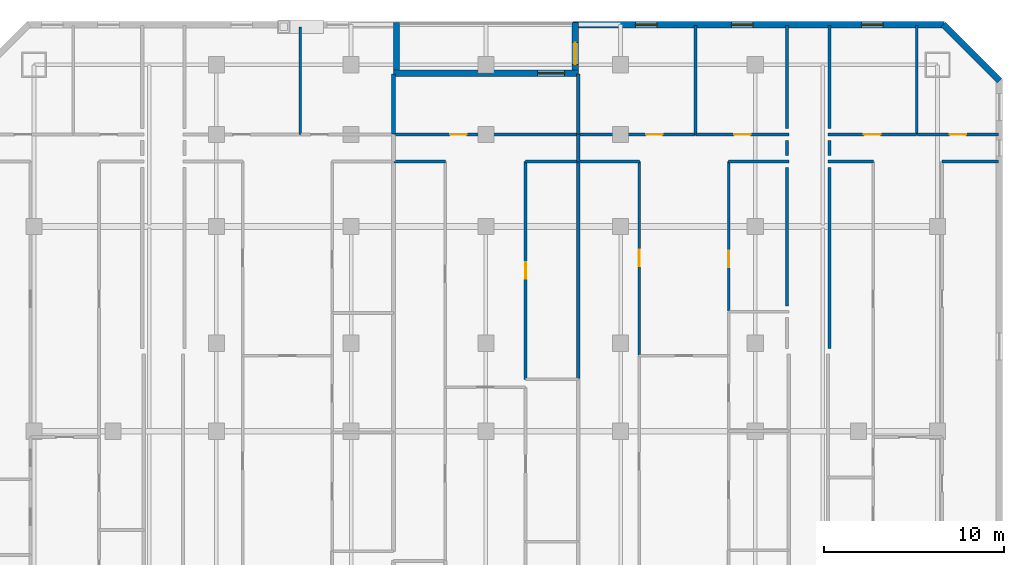
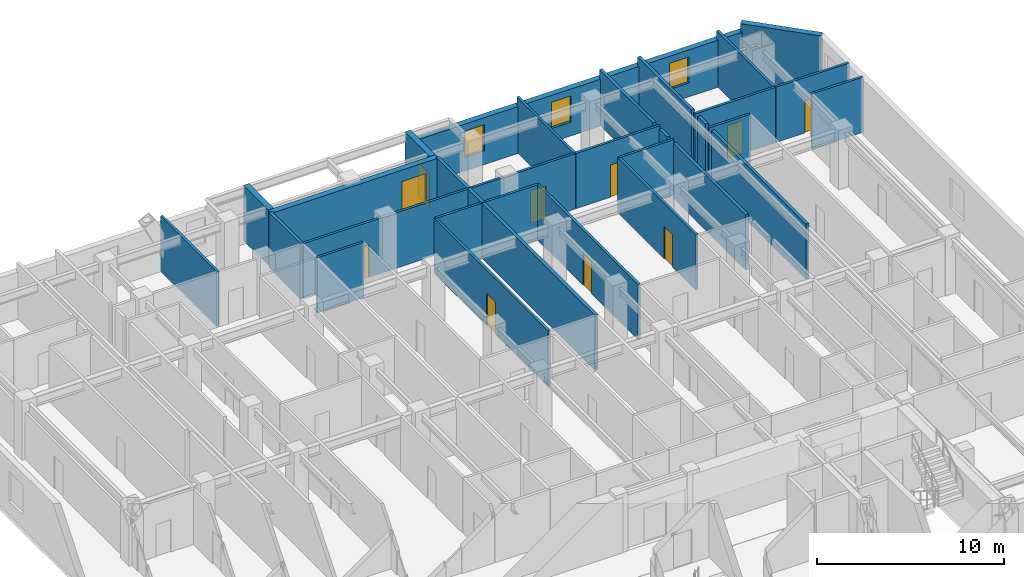
# One storey, part 8 of 10: 32 walls, 9 doors, 4 windows, 13 openings.
"""IFC4 building model written with IfcOpenShell, lengths in metres."""

from ifc_helpers import new_model, si_unit, direction, frame, frame_2d, origin, place, context, subcontext, project, spatial, rectangle, extrude, material, layer, layer_set, type_object, element, fill, save


model = new_model("IFC4")

# Units and contexts
model_context = context("Model", 3, precision=1e-05, world=origin(), true_north=direction((0.0, 1.0)))
body_context = subcontext(model_context, "Body", "Model", "MODEL_VIEW")
ifc_project = project(units=[si_unit("LENGTHUNIT", "METRE"), si_unit("AREAUNIT", "SQUARE_METRE"), si_unit("VOLUMEUNIT", "CUBIC_METRE"), si_unit("PLANEANGLEUNIT", "RADIAN"), si_unit("MASSUNIT", "GRAM", prefix="KILO")], contexts=[model_context])

# Site, building, storey
site_placement = place(None, origin())
site = spatial("IfcSite", under=ifc_project, at=site_placement, CompositionType="ELEMENT")
building_placement = place(site_placement, origin())
building = spatial("IfcBuilding", under=site, at=building_placement, Name="Ventersveld Concourse Tower", CompositionType="ELEMENT")
storey_placement = place(building_placement, frame((0.0, 0.0, 49.050048828125)))
storey = spatial("IfcBuildingStorey", under=building, at=storey_placement, Name="L11", CompositionType="ELEMENT", Elevation=49.050048828125)

# Walls
ifc_material_1 = material(Name="Fire-rated autoclaved aerated masonry blockwork", Category="masonry")
ifc_layer_1 = layer(ifc_material_1, 0.179931640625)
ifc_layer_set_1 = layer_set([ifc_layer_1], Name="Fire-rated autoclaved aerated masonry blockwork")
wall_type_1 = type_object("IfcWallType", Name="WL-CORR-180", PredefinedType="PARTITIONING", material=ifc_layer_set_1)
wall_1_placement = place(storey_placement, frame((47.8798828125, 38.945068359375, 0.0), z_axis=(0.0, 0.0, 1.0), x_axis=(0.0, 1.0, 0.0)))
element("IfcWall", 1, at=wall_1_placement, inside=storey, type_object=wall_type_1, Name="L11 Room Enclosure Wall SP-L11-11NE-LIV", PredefinedType="PARTITIONING", context=body_context, shape_type="SweptSolid", body=[
    extrude(rectangle(XDim=0.849853515625, YDim=0.179931640625, at=frame_2d((0.4248046875, 0.0))), origin(), (0.0, 0.0, 1.0), 3.599853515625),
])
wall_2_placement = place(storey_placement, frame((47.8798828125, 28.2099609375, 0.0), z_axis=(0.0, 0.0, 1.0), x_axis=(0.0, 1.0, 0.0)))
element("IfcWall", 2, at=wall_2_placement, inside=storey, type_object=wall_type_1, Name="L11 Room Enclosure Wall SP-L11-11NE-DENL", PredefinedType="PARTITIONING", context=body_context, shape_type="SweptSolid", body=[
    extrude(rectangle(XDim=10.0849609375, YDim=0.179931640625, at=frame_2d((5.04248046875, 0.0))), origin(), (0.0, 0.0, 1.0), 3.599853515625),
])
wall_3_placement = place(storey_placement, frame((47.8798828125, 40.445068359375, 0.0), z_axis=(0.0, 0.0, 1.0), x_axis=(0.0, 1.0, 0.0)))
element("IfcWall", 3, at=wall_3_placement, inside=storey, type_object=wall_type_1, Name="L11 Room Enclosure Wall SP-L11-11NE-BR1", PredefinedType="PARTITIONING", context=body_context, shape_type="SweptSolid", body=[
    extrude(rectangle(XDim=5.744873046875, YDim=0.179931640625, at=frame_2d((2.87255859375, 0.0))), origin(), (0.0, 0.0, 1.0), 3.599853515625),
])
wall_4_placement = place(storey_placement, frame((45.52001953125, 39.794921875, 0.0), z_axis=(0.0, 0.0, 1.0), x_axis=(0.0, -1.0, 0.0)))
element("IfcWall", 4, at=wall_4_placement, inside=storey, type_object=wall_type_1, Name="L11 Room Enclosure Wall SP-L11-11CE-LIV", PredefinedType="PARTITIONING", context=body_context, shape_type="SweptSolid", body=[
    extrude(rectangle(XDim=0.849853515625, YDim=0.179931640625, at=frame_2d((0.4248046875, 0.0))), origin(), (0.0, 0.0, 1.0), 3.599853515625),
])
wall_5_placement = place(storey_placement, frame((45.52001953125, 38.294921875, 0.0), z_axis=(0.0, 0.0, 1.0), x_axis=(0.0, -1.0, 0.0)))
element("IfcWall", 5, at=wall_5_placement, inside=storey, type_object=wall_type_1, Name="L11 Room Enclosure Wall SP-L11-11CE-DENS2", PredefinedType="PARTITIONING", context=body_context, shape_type="SweptSolid", body=[
    extrude(rectangle(XDim=7.721923828125, YDim=0.179931640625, at=frame_2d((3.86083984375, 0.0))), origin(), (0.0, 0.0, 1.0), 3.599853515625),
])
wall_6_placement = place(storey_placement, frame((45.52001953125, 46.18994140625, 0.0), z_axis=(0.0, 0.0, 1.0), x_axis=(0.0, -1.0, 0.0)))
element("IfcWall", 6, at=wall_6_placement, inside=storey, type_object=wall_type_1, Name="L11 Room Enclosure Wall SP-L11-11CE-BR2", PredefinedType="PARTITIONING", context=body_context, shape_type="SweptSolid", body=[
    extrude(rectangle(XDim=5.744873046875, YDim=0.179931640625, at=frame_2d((2.87255859375, 0.0))), origin(), (0.0, 0.0, 1.0), 3.599853515625),
])
ifc_layer_2 = layer(ifc_material_1, 0.199951171875)
ifc_layer_set_2 = layer_set([ifc_layer_2], Name="Fire-rated autoclaved aerated masonry blockwork")
wall_type_2 = type_object("IfcWallType", Name="WL-DEMISE-200", PredefinedType="PARTITIONING", material=ifc_layer_set_2)
wall_7_placement = place(storey_placement, frame((23.610107421875, 40.155029296875, 0.0), z_axis=(0.0, 0.0, 1.0), x_axis=(0.0, 1.0, 0.0)))
element("IfcWall", 7, at=wall_7_placement, inside=storey, type_object=wall_type_2, Name="L11 Interior Partition SP-L11-11CW-BR2-SP-L11-11CM-BR1", PredefinedType="PARTITIONING", context=body_context, shape_type="SweptSolid", body=[
    extrude(rectangle(XDim=3.3349609375, YDim=0.199951171875, at=frame_2d((1.66748046875, 0.0))), origin(), (0.0, 0.0, 1.0), 3.599853515625),
])
wall_8_placement = place(storey_placement, frame((33.889892578125, 38.614990234375, 0.0), z_axis=(0.0, 0.0, 1.0), x_axis=(0.0, 1.0, 0.0)))
element("IfcWall", 8, at=wall_8_placement, inside=storey, type_object=wall_type_2, Name="L11 Interior Partition SP-L11-11CE-LIV-SP-L11-11CM-LIV", PredefinedType="PARTITIONING", context=body_context, shape_type="SweptSolid", body=[
    extrude(rectangle(XDim=1.510009765625, YDim=0.199951171875, at=frame_2d((0.7548828125, 0.0))), origin(), (0.0, 0.0, 1.0), 3.599853515625),
])
wall_9_placement = place(storey_placement, frame((33.889892578125, 26.53271484375, 0.0), z_axis=(0.0, 0.0, 1.0), x_axis=(0.0, 1.0, 0.0)))
element("IfcWall", 9, at=wall_9_placement, inside=storey, type_object=wall_type_2, Name="L11 Interior Partition SP-L11-11CE-MEDL0-SP-L11-11CM-DENS", PredefinedType="PARTITIONING", context=body_context, shape_type="SweptSolid", body=[
    extrude(rectangle(XDim=12.05224609375, YDim=0.199951171875, at=frame_2d((6.026123046875, 0.0))), origin(), (0.0, 0.0, 1.0), 3.599853515625),
])
wall_10_placement = place(storey_placement, frame((33.889892578125, 40.155029296875, 0.0), z_axis=(0.0, 0.0, 1.0), x_axis=(0.0, 1.0, 0.0)))
element("IfcWall", 10, at=wall_10_placement, inside=storey, type_object=wall_type_2, Name="L11 Interior Partition SP-L11-11CE-BR1-SP-L11-11CM-BR1", PredefinedType="PARTITIONING", context=body_context, shape_type="SweptSolid", body=[
    extrude(rectangle(XDim=3.3349609375, YDim=0.199951171875, at=frame_2d((1.66748046875, 0.0))), origin(), (0.0, 0.0, 1.0), 3.599853515625),
])
ifc_material_2 = material(Name="Autoclaved aerated masonry blockwork", Category="masonry")
ifc_layer_3 = layer(ifc_material_2, 0.14990234375)
ifc_layer_set_3 = layer_set([ifc_layer_3], Name="Autoclaved aerated masonry blockwork")
wall_type_3 = type_object("IfcWallType", Name="WL-INT-150", PredefinedType="PARTITIONING", material=ifc_layer_set_3)
wall_11_placement = place(storey_placement, frame((47.784912109375, 38.6201171875, 0.0), z_axis=(0.0, 0.0, 1.0), x_axis=(1.0, 0.0, 0.0)))
element("IfcWall", 11, at=wall_11_placement, inside=storey, type_object=wall_type_3, Name="L11 Interior Partition SP-L11-11NE-LIV-SP-L11-11NE-DENL", PredefinedType="PARTITIONING", context=body_context, shape_type="SweptSolid", body=[
    extrude(rectangle(XDim=2.5390625, YDim=0.14990234375, at=frame_2d((1.26953125, 0.0))), origin(), (0.0, 0.0, 1.0), 3.599853515625),
])
wall_12_placement = place(storey_placement, frame((54.135986328125, 38.6201171875, 0.0), z_axis=(0.0, 0.0, 1.0), x_axis=(1.0, 0.0, 0.0)))
element("IfcWall", 12, at=wall_12_placement, inside=storey, type_object=wall_type_3, Name="L11 Interior Partition SP-L11-11NE-LIV-SP-L11-11NE-DENR", PredefinedType="PARTITIONING", context=body_context, shape_type="SweptSolid", body=[
    extrude(rectangle(XDim=3.154052734375, YDim=0.14990234375, at=frame_2d((1.5771484375, 0.0))), origin(), (0.0, 0.0, 1.0), 3.599853515625),
])

# Wall, opening, door
wall_13_placement = place(storey_placement, frame((47.784912109375, 40.1201171875, 0.0), z_axis=(0.0, 0.0, 1.0), x_axis=(1.0, 0.0, 0.0)))
wall_13 = element("IfcWall", 13, at=wall_13_placement, inside=storey, type_object=wall_type_3, Name="L11 Interior Partition SP-L11-11NE-LIV-SP-L11-11NE-BR1", PredefinedType="PARTITIONING", context=body_context, shape_type="SweptSolid", body=[
    extrude(rectangle(XDim=4.951171875, YDim=0.14990234375, at=frame_2d((2.4755859375, 0.0))), origin(), (0.0, 0.0, 1.0), 3.599853515625),
])
opening_1_placement = place(wall_13_placement, frame((2.015625, 0.0, 0.0)))
opening_1 = element("IfcOpeningElement", 14, at=opening_1_placement, cuts=wall_13, Name="Opening ID1", PredefinedType="OPENING", context=body_context, shape_type="SweptSolid", body=[
    extrude(rectangle(XDim=0.919921875, YDim=2.10009765625, at=frame_2d((0.4599609375, 1.050048828125))), frame((0.0, 0.0849609375, 0.0), z_axis=(0.0, -1.0, 0.0), x_axis=(1.0, 0.0, 0.0)), (0.0, 0.0, 1.0), 0.169921875),
])
ifc_material_3 = material(Name="Solid-core hardwood veneer timber", Category="wood")
door_type_1 = type_object("IfcDoorType", Name="DR-ROOM-092", OperationType="NOTDEFINED", PredefinedType="DOOR", material=ifc_material_3)
door_1_placement = place(opening_1_placement, origin())
door_1 = element("IfcDoor", 15, at=door_1_placement, inside=storey, type_object=door_type_1, Name="L11 Interior Door SP-L11-11NE-LIV to SP-L11-11NE-BR1 (D-L11-0445)", OperationType="SINGLE_SWING_LEFT", OverallHeight=2.10009765625, OverallWidth=0.919921875, PredefinedType="DOOR", context=body_context, shape_type="SweptSolid", body=[
    extrude(rectangle(XDim=0.919921875, YDim=2.10009765625, at=frame_2d((0.4599609375, 1.050048828125))), frame((0.0, 0.02490234375, 0.0), z_axis=(0.0, -1.0, 0.0), x_axis=(1.0, 0.0, 0.0)), (0.0, 0.0, 1.0), 0.050048828125),
])
fill(opening_1, door_1)

wall_14_placement = place(storey_placement, frame((52.76611328125, 40.1201171875, 0.0), z_axis=(0.0, 0.0, 1.0), x_axis=(1.0, 0.0, 0.0)))
wall_14 = element("IfcWall", 16, at=wall_14_placement, inside=storey, type_object=wall_type_3, Name="L11 Interior Partition SP-L11-11NE-LIV-SP-L11-11NE-BR2", PredefinedType="PARTITIONING", context=body_context, shape_type="SweptSolid", body=[
    extrude(rectangle(XDim=4.52392578125, YDim=0.14990234375, at=frame_2d((2.261962890625, 0.0))), origin(), (0.0, 0.0, 1.0), 3.599853515625),
])
opening_2_placement = place(wall_14_placement, frame((1.802001953125, 0.0, 0.0)))
opening_2 = element("IfcOpeningElement", 17, at=opening_2_placement, cuts=wall_14, Name="Opening ID1", PredefinedType="OPENING", context=body_context, shape_type="SweptSolid", body=[
    extrude(rectangle(XDim=0.919921875, YDim=2.10009765625, at=frame_2d((0.4599609375, 1.050048828125))), frame((0.0, 0.0849609375, 0.0), z_axis=(0.0, -1.0, 0.0), x_axis=(1.0, 0.0, 0.0)), (0.0, 0.0, 1.0), 0.169921875),
])
door_2_placement = place(opening_2_placement, origin())
door_2 = element("IfcDoor", 18, at=door_2_placement, inside=storey, type_object=door_type_1, Name="L11 Interior Door SP-L11-11NE-LIV to SP-L11-11NE-BR2 (D-L11-0446)", OperationType="SINGLE_SWING_RIGHT", OverallHeight=2.10009765625, OverallWidth=0.919921875, PredefinedType="DOOR", context=body_context, shape_type="SweptSolid", body=[
    extrude(rectangle(XDim=0.919921875, YDim=2.10009765625, at=frame_2d((0.4599609375, 1.050048828125))), frame((0.0, 0.02490234375, 0.0), z_axis=(0.0, -1.0, 0.0), x_axis=(1.0, 0.0, 0.0)), (0.0, 0.0, 1.0), 0.050048828125),
])
fill(opening_2, door_2)

# Walls
wall_15_placement = place(storey_placement, frame((52.731201171875, 40.114990234375, 0.0), z_axis=(0.0, 0.0, 1.0), x_axis=(0.0, 1.0, 0.0)))
element("IfcWall", 19, at=wall_15_placement, inside=storey, type_object=wall_type_3, Name="L11 Interior Partition SP-L11-11NE-BR1-SP-L11-11NE-BR2", PredefinedType="PARTITIONING", context=body_context, shape_type="SweptSolid", body=[
    extrude(rectangle(XDim=6.074951171875, YDim=0.14990234375, at=frame_2d((3.03759765625, 0.0))), origin(), (0.0, 0.0, 1.0), 3.599853515625),
])
wall_16_placement = place(storey_placement, frame((18.418212890625, 40.114990234375, 0.0), z_axis=(0.0, 0.0, 1.0), x_axis=(0.0, 1.0, 0.0)))
element("IfcWall", 20, at=wall_16_placement, inside=storey, type_object=wall_type_3, Name="L11 Interior Partition SP-L11-11CW-BR1-SP-L11-11CW-BR2", PredefinedType="PARTITIONING", context=body_context, shape_type="SweptSolid", body=[
    extrude(rectangle(XDim=5.987060546875, YDim=0.14990234375, at=frame_2d((2.99365234375, 0.0))), origin(), (0.0, 0.0, 1.0), 3.599853515625),
])

# Wall, opening, door
wall_17_placement = place(storey_placement, frame((37.283935546875, 27.841796875, 0.0), z_axis=(0.0, 0.0, 1.0), x_axis=(0.0, 1.0, 0.0)))
wall_17 = element("IfcWall", 21, at=wall_17_placement, inside=storey, type_object=wall_type_3, Name="L11 Interior Partition SP-L11-11CE-LIV-SP-L11-11CE-MEDL0", PredefinedType="PARTITIONING", context=body_context, shape_type="SweptSolid", body=[
    extrude(rectangle(XDim=10.783203125, YDim=0.14990234375, at=frame_2d((5.3916015625, 0.0))), origin(), (0.0, 0.0, 1.0), 3.599853515625),
])
opening_3_placement = place(wall_17_placement, frame((4.931640625, 0.0, 0.0)))
opening_3 = element("IfcOpeningElement", 22, at=opening_3_placement, cuts=wall_17, Name="Opening ID1", PredefinedType="OPENING", context=body_context, shape_type="SweptSolid", body=[
    extrude(rectangle(XDim=0.919921875, YDim=2.10009765625, at=frame_2d((0.4599609375, 1.050048828125))), frame((0.0, 0.0849609375, 0.0), z_axis=(0.0, -1.0, 0.0), x_axis=(1.0, 0.0, 0.0)), (0.0, 0.0, 1.0), 0.169921875),
])
door_3_placement = place(opening_3_placement, origin())
door_3 = element("IfcDoor", 23, at=door_3_placement, inside=storey, type_object=door_type_1, Name="L11 Interior Door SP-L11-11CE-LIV to SP-L11-11CE-MEDL0 (D-L11-0464)", OperationType="SINGLE_SWING_RIGHT", OverallHeight=2.10009765625, OverallWidth=0.919921875, PredefinedType="DOOR", context=body_context, shape_type="SweptSolid", body=[
    extrude(rectangle(XDim=0.919921875, YDim=2.10009765625, at=frame_2d((0.4599609375, 1.050048828125))), frame((0.0, 0.02490234375, 0.0), z_axis=(0.0, -1.0, 0.0), x_axis=(1.0, 0.0, 0.0)), (0.0, 0.0, 1.0), 0.050048828125),
])
fill(opening_3, door_3)

# Wall
wall_18_placement = place(storey_placement, frame((33.885009765625, 38.6201171875, 0.0), z_axis=(0.0, 0.0, 1.0), x_axis=(1.0, 0.0, 0.0)))
element("IfcWall", 24, at=wall_18_placement, inside=storey, type_object=wall_type_3, Name="L11 Interior Partition SP-L11-11CE-LIV-SP-L11-11CE-MEDL0", PredefinedType="PARTITIONING", context=body_context, shape_type="SweptSolid", body=[
    extrude(rectangle(XDim=3.404052734375, YDim=0.14990234375, at=frame_2d((1.7021484375, 0.0))), origin(), (0.0, 0.0, 1.0), 3.599853515625),
])

# Wall, opening, door
wall_19_placement = place(storey_placement, frame((42.263916015625, 30.282958984375, 0.0), z_axis=(0.0, 0.0, 1.0), x_axis=(0.0, 1.0, 0.0)))
wall_19 = element("IfcWall", 25, at=wall_19_placement, inside=storey, type_object=wall_type_3, Name="L11 Interior Partition SP-L11-11CE-LIV-SP-L11-11CE-DENS2", PredefinedType="PARTITIONING", context=body_context, shape_type="SweptSolid", body=[
    extrude(rectangle(XDim=8.342041015625, YDim=0.14990234375, at=frame_2d((4.1708984375, 0.0))), origin(), (0.0, 0.0, 1.0), 3.599853515625),
])
opening_4_placement = place(wall_19_placement, frame((2.459716796875, 0.0, 0.0)))
opening_4 = element("IfcOpeningElement", 26, at=opening_4_placement, cuts=wall_19, Name="Opening ID1", PredefinedType="OPENING", context=body_context, shape_type="SweptSolid", body=[
    extrude(rectangle(XDim=0.919921875, YDim=2.10009765625, at=frame_2d((0.4599609375, 1.050048828125))), frame((0.0, 0.0849609375, 0.0), z_axis=(0.0, -1.0, 0.0), x_axis=(1.0, 0.0, 0.0)), (0.0, 0.0, 1.0), 0.169921875),
])
door_4_placement = place(opening_4_placement, origin())
door_4 = element("IfcDoor", 27, at=door_4_placement, inside=storey, type_object=door_type_1, Name="L11 Interior Door SP-L11-11CE-LIV to SP-L11-11CE-DENS2 (D-L11-0466)", OperationType="SINGLE_SWING_RIGHT", OverallHeight=2.10009765625, OverallWidth=0.919921875, PredefinedType="DOOR", context=body_context, shape_type="SweptSolid", body=[
    extrude(rectangle(XDim=0.919921875, YDim=2.10009765625, at=frame_2d((0.4599609375, 1.050048828125))), frame((0.0, 0.02490234375, 0.0), z_axis=(0.0, -1.0, 0.0), x_axis=(1.0, 0.0, 0.0)), (0.0, 0.0, 1.0), 0.050048828125),
])
fill(opening_4, door_4)

# Wall
wall_20_placement = place(storey_placement, frame((42.259033203125, 38.6201171875, 0.0), z_axis=(0.0, 0.0, 1.0), x_axis=(1.0, 0.0, 0.0)))
element("IfcWall", 28, at=wall_20_placement, inside=storey, type_object=wall_type_3, Name="L11 Interior Partition SP-L11-11CE-LIV-SP-L11-11CE-DENS2", PredefinedType="PARTITIONING", context=body_context, shape_type="SweptSolid", body=[
    extrude(rectangle(XDim=3.35595703125, YDim=0.14990234375, at=frame_2d((1.677978515625, 0.0))), origin(), (0.0, 0.0, 1.0), 3.599853515625),
])

# Wall, opening, door
wall_21_placement = place(storey_placement, frame((33.885009765625, 40.1201171875, 0.0), z_axis=(0.0, 0.0, 1.0), x_axis=(1.0, 0.0, 0.0)))
wall_21 = element("IfcWall", 29, at=wall_21_placement, inside=storey, type_object=wall_type_3, Name="L11 Interior Partition SP-L11-11CE-LIV-SP-L11-11CE-BR1", PredefinedType="PARTITIONING", context=body_context, shape_type="SweptSolid", body=[
    extrude(rectangle(XDim=6.5380859375, YDim=0.14990234375, at=frame_2d((3.26904296875, 0.0))), origin(), (0.0, 0.0, 1.0), 3.599853515625),
])
opening_5_placement = place(wall_21_placement, frame((3.789794921875, 0.0, 0.0)))
opening_5 = element("IfcOpeningElement", 30, at=opening_5_placement, cuts=wall_21, Name="Opening ID1", PredefinedType="OPENING", context=body_context, shape_type="SweptSolid", body=[
    extrude(rectangle(XDim=0.919921875, YDim=2.10009765625, at=frame_2d((0.4599609375, 1.050048828125))), frame((0.0, 0.0849609375, 0.0), z_axis=(0.0, -1.0, 0.0), x_axis=(1.0, 0.0, 0.0)), (0.0, 0.0, 1.0), 0.169921875),
])
door_5_placement = place(opening_5_placement, origin())
door_5 = element("IfcDoor", 31, at=door_5_placement, inside=storey, type_object=door_type_1, Name="L11 Interior Door SP-L11-11CE-LIV to SP-L11-11CE-BR1 (D-L11-0467)", OperationType="SINGLE_SWING_LEFT", OverallHeight=2.10009765625, OverallWidth=0.919921875, PredefinedType="DOOR", context=body_context, shape_type="SweptSolid", body=[
    extrude(rectangle(XDim=0.919921875, YDim=2.10009765625, at=frame_2d((0.4599609375, 1.050048828125))), frame((0.0, 0.02490234375, 0.0), z_axis=(0.0, -1.0, 0.0), x_axis=(1.0, 0.0, 0.0)), (0.0, 0.0, 1.0), 0.050048828125),
])
fill(opening_5, door_5)

wall_22_placement = place(storey_placement, frame((40.453125, 40.1201171875, 0.0), z_axis=(0.0, 0.0, 1.0), x_axis=(1.0, 0.0, 0.0)))
wall_22 = element("IfcWall", 32, at=wall_22_placement, inside=storey, type_object=wall_type_3, Name="L11 Interior Partition SP-L11-11CE-LIV-SP-L11-11CE-BR2", PredefinedType="PARTITIONING", context=body_context, shape_type="SweptSolid", body=[
    extrude(rectangle(XDim=5.161865234375, YDim=0.14990234375, at=frame_2d((2.5810546875, 0.0))), origin(), (0.0, 0.0, 1.0), 3.599853515625),
])
opening_6_placement = place(wall_22_placement, frame((2.120849609375, 0.0, 0.0)))
opening_6 = element("IfcOpeningElement", 33, at=opening_6_placement, cuts=wall_22, Name="Opening ID1", PredefinedType="OPENING", context=body_context, shape_type="SweptSolid", body=[
    extrude(rectangle(XDim=0.919921875, YDim=2.10009765625, at=frame_2d((0.4599609375, 1.050048828125))), frame((0.0, 0.0849609375, 0.0), z_axis=(0.0, -1.0, 0.0), x_axis=(1.0, 0.0, 0.0)), (0.0, 0.0, 1.0), 0.169921875),
])
door_6_placement = place(opening_6_placement, origin())
door_6 = element("IfcDoor", 34, at=door_6_placement, inside=storey, type_object=door_type_1, Name="L11 Interior Door SP-L11-11CE-LIV to SP-L11-11CE-BR2 (D-L11-0468)", OperationType="SINGLE_SWING_RIGHT", OverallHeight=2.10009765625, OverallWidth=0.919921875, PredefinedType="DOOR", context=body_context, shape_type="SweptSolid", body=[
    extrude(rectangle(XDim=0.919921875, YDim=2.10009765625, at=frame_2d((0.4599609375, 1.050048828125))), frame((0.0, 0.02490234375, 0.0), z_axis=(0.0, -1.0, 0.0), x_axis=(1.0, 0.0, 0.0)), (0.0, 0.0, 1.0), 0.050048828125),
])
fill(opening_6, door_6)

# Walls
wall_23_placement = place(storey_placement, frame((40.418212890625, 40.114990234375, 0.0), z_axis=(0.0, 0.0, 1.0), x_axis=(0.0, 1.0, 0.0)))
element("IfcWall", 35, at=wall_23_placement, inside=storey, type_object=wall_type_3, Name="L11 Interior Partition SP-L11-11CE-BR1-SP-L11-11CE-BR2", PredefinedType="PARTITIONING", context=body_context, shape_type="SweptSolid", body=[
    extrude(rectangle(XDim=6.074951171875, YDim=0.14990234375, at=frame_2d((3.03759765625, 0.0))), origin(), (0.0, 0.0, 1.0), 3.599853515625),
])
wall_24_placement = place(storey_placement, frame((23.64501953125, 38.6201171875, 0.0), z_axis=(0.0, 0.0, 1.0), x_axis=(1.0, 0.0, 0.0)))
element("IfcWall", 36, at=wall_24_placement, inside=storey, type_object=wall_type_3, Name="L11 Interior Partition SP-L11-11CM-LIV-SP-L11-11CM-DENL", PredefinedType="PARTITIONING", context=body_context, shape_type="SweptSolid", body=[
    extrude(rectangle(XDim=2.85595703125, YDim=0.14990234375, at=frame_2d((1.427978515625, 0.0))), origin(), (0.0, 0.0, 1.0), 3.599853515625),
])

# Wall, opening, door
wall_25_placement = place(storey_placement, frame((30.9619140625, 26.49267578125, 0.0), z_axis=(0.0, 0.0, 1.0), x_axis=(0.0, 1.0, 0.0)))
wall_25 = element("IfcWall", 37, at=wall_25_placement, inside=storey, type_object=wall_type_3, Name="L11 Interior Partition SP-L11-11CM-LIV-SP-L11-11CM-DENS", PredefinedType="PARTITIONING", context=body_context, shape_type="SweptSolid", body=[
    extrude(rectangle(XDim=12.13232421875, YDim=0.14990234375, at=frame_2d((6.066162109375, 0.0))), origin(), (0.0, 0.0, 1.0), 3.599853515625),
])
opening_7_placement = place(wall_25_placement, frame((5.606201171875, 0.0, 0.0)))
opening_7 = element("IfcOpeningElement", 38, at=opening_7_placement, cuts=wall_25, Name="Opening ID1", PredefinedType="OPENING", context=body_context, shape_type="SweptSolid", body=[
    extrude(rectangle(XDim=0.919921875, YDim=2.10009765625, at=frame_2d((0.4599609375, 1.050048828125))), frame((0.0, 0.0849609375, 0.0), z_axis=(0.0, -1.0, 0.0), x_axis=(1.0, 0.0, 0.0)), (0.0, 0.0, 1.0), 0.169921875),
])
door_7_placement = place(opening_7_placement, origin())
door_7 = element("IfcDoor", 39, at=door_7_placement, inside=storey, type_object=door_type_1, Name="L11 Interior Door SP-L11-11CM-LIV to SP-L11-11CM-DENS (D-L11-0475)", OperationType="SINGLE_SWING_LEFT", OverallHeight=2.10009765625, OverallWidth=0.919921875, PredefinedType="DOOR", context=body_context, shape_type="SweptSolid", body=[
    extrude(rectangle(XDim=0.919921875, YDim=2.10009765625, at=frame_2d((0.4599609375, 1.050048828125))), frame((0.0, 0.02490234375, 0.0), z_axis=(0.0, -1.0, 0.0), x_axis=(1.0, 0.0, 0.0)), (0.0, 0.0, 1.0), 0.050048828125),
])
fill(opening_7, door_7)

# Wall
wall_26_placement = place(storey_placement, frame((30.95703125, 38.6201171875, 0.0), z_axis=(0.0, 0.0, 1.0), x_axis=(1.0, 0.0, 0.0)))
element("IfcWall", 40, at=wall_26_placement, inside=storey, type_object=wall_type_3, Name="L11 Interior Partition SP-L11-11CM-LIV-SP-L11-11CM-DENS", PredefinedType="PARTITIONING", context=body_context, shape_type="SweptSolid", body=[
    extrude(rectangle(XDim=2.89794921875, YDim=0.14990234375, at=frame_2d((1.448974609375, 0.0))), origin(), (0.0, 0.0, 1.0), 3.599853515625),
])

# Wall, opening, door
wall_27_placement = place(storey_placement, frame((23.64501953125, 40.1201171875, 0.0), z_axis=(0.0, 0.0, 1.0), x_axis=(1.0, 0.0, 0.0)))
wall_27 = element("IfcWall", 41, at=wall_27_placement, inside=storey, type_object=wall_type_3, Name="L11 Interior Partition SP-L11-11CM-LIV-SP-L11-11CM-BR1", PredefinedType="PARTITIONING", context=body_context, shape_type="SweptSolid", body=[
    extrude(rectangle(XDim=10.2099609375, YDim=0.14990234375, at=frame_2d((5.10498046875, 0.0))), origin(), (0.0, 0.0, 1.0), 3.599853515625),
])
opening_8_placement = place(wall_27_placement, frame((3.113525390625, 0.0, 0.0)))
opening_8 = element("IfcOpeningElement", 42, at=opening_8_placement, cuts=wall_27, Name="Opening ID1", PredefinedType="OPENING", context=body_context, shape_type="SweptSolid", body=[
    extrude(rectangle(XDim=0.919921875, YDim=2.10009765625, at=frame_2d((0.4599609375, 1.050048828125))), frame((0.0, 0.0849609375, 0.0), z_axis=(0.0, -1.0, 0.0), x_axis=(1.0, 0.0, 0.0)), (0.0, 0.0, 1.0), 0.169921875),
])
door_8_placement = place(opening_8_placement, origin())
door_8 = element("IfcDoor", 43, at=door_8_placement, inside=storey, type_object=door_type_1, Name="L11 Interior Door SP-L11-11CM-LIV to SP-L11-11CM-BR1 (D-L11-0476)", OperationType="SINGLE_SWING_RIGHT", OverallHeight=2.10009765625, OverallWidth=0.919921875, PredefinedType="DOOR", context=body_context, shape_type="SweptSolid", body=[
    extrude(rectangle(XDim=0.919921875, YDim=2.10009765625, at=frame_2d((0.4599609375, 1.050048828125))), frame((0.0, 0.02490234375, 0.0), z_axis=(0.0, -1.0, 0.0), x_axis=(1.0, 0.0, 0.0)), (0.0, 0.0, 1.0), 0.050048828125),
])
fill(opening_8, door_8)

# Wall
ifc_material_4 = material(Name="Precast concrete C45/55", Category="concrete")
ifc_layer_4 = layer(ifc_material_4, 0.35009765625)
ifc_layer_set_4 = layer_set([ifc_layer_4], Name="Precast concrete C45/55")
wall_type_4 = type_object("IfcWallType", Name="WL-PREC-350", PredefinedType="SOLIDWALL", material=ifc_layer_set_4)
wall_28_placement = place(storey_placement, frame((57.347900390625, 43.1044921875, 0.0), z_axis=(0.0, 0.0, 1.0), x_axis=(-0.707079321262, 0.707134240044, 0.0)))
element("IfcWall", 44, at=wall_28_placement, inside=storey, type_object=wall_type_4, Name="L11 Highveld Precast Facade Wall E04", PredefinedType="SOLIDWALL", context=body_context, shape_type="SweptSolid", body=[
    extrude(rectangle(XDim=4.445556640625, YDim=0.35009765625, at=frame_2d((2.22265625, 0.0))), origin(), (0.0, 0.0, 1.0), 3.599853515625),
])

# Wall, openings, windows
wall_29_placement = place(storey_placement, frame((54.260009765625, 46.22509765625, 0.0), z_axis=(0.0, 0.0, 1.0), x_axis=(-1.0, 0.0, 0.0)))
wall_29 = element("IfcWall", 45, at=wall_29_placement, inside=storey, type_object=wall_type_4, Name="L11 Highveld Precast Facade Wall E05", PredefinedType="SOLIDWALL", context=body_context, shape_type="SweptSolid", body=[
    extrude(rectangle(XDim=20.669921875, YDim=0.35009765625, at=frame_2d((10.3349609375, 0.0))), origin(), (0.0, 0.0, 1.0), 3.055419921875),
])
opening_9_placement = place(wall_29_placement, frame((3.3994140625, 0.0, 0.89990234375)))
opening_9 = element("IfcOpeningElement", 46, at=opening_9_placement, cuts=wall_29, Name="Opening W3", PredefinedType="OPENING", context=body_context, shape_type="SweptSolid", body=[
    extrude(rectangle(XDim=1.199951171875, YDim=1.699951171875, at=frame_2d((0.60009765625, 0.85009765625))), frame((0.0, 0.18505859375, 0.0), z_axis=(0.0, -1.0, 0.0), x_axis=(1.0, 0.0, 0.0)), (0.0, 0.0, 1.0), 0.3701171875),
])
opening_10_placement = place(wall_29_placement, frame((15.98828125, 0.0, 0.89990234375)))
opening_10 = element("IfcOpeningElement", 47, at=opening_10_placement, cuts=wall_29, Name="Opening W3", PredefinedType="OPENING", context=body_context, shape_type="SweptSolid", body=[
    extrude(rectangle(XDim=1.199951171875, YDim=1.699951171875, at=frame_2d((0.60009765625, 0.85009765625))), frame((0.0, 0.18505859375, 0.0), z_axis=(0.0, -1.0, 0.0), x_axis=(1.0, 0.0, 0.0)), (0.0, 0.0, 1.0), 0.3701171875),
])
opening_11_placement = place(wall_29_placement, frame((10.64599609375, 0.0, 0.89990234375)))
opening_11 = element("IfcOpeningElement", 48, at=opening_11_placement, cuts=wall_29, Name="Opening W3", PredefinedType="OPENING", context=body_context, shape_type="SweptSolid", body=[
    extrude(rectangle(XDim=1.199951171875, YDim=1.699951171875, at=frame_2d((0.60009765625, 0.85009765625))), frame((0.0, 0.18505859375, 0.0), z_axis=(0.0, -1.0, 0.0), x_axis=(1.0, 0.0, 0.0)), (0.0, 0.0, 1.0), 0.3701171875),
])
ifc_material_5 = material(Name="Tempered acoustic Low-E IGU", Category="glass")
window_type_1 = type_object("IfcWindowType", Name="WIN-120x180", PartitioningType="SINGLE_PANEL", PredefinedType="WINDOW", material=ifc_material_5)
window_1_placement = place(opening_9_placement, origin())
window_1 = element("IfcWindow", 49, at=window_1_placement, inside=storey, type_object=window_type_1, Name="L11 Punched Low-E Window W-0071", OverallHeight=1.699951171875, OverallWidth=1.199951171875, PartitioningType="SINGLE_PANEL", PredefinedType="WINDOW", context=body_context, shape_type="SweptSolid", body=[
    extrude(rectangle(XDim=1.199951171875, YDim=1.699951171875, at=frame_2d((0.60009765625, 0.85009765625))), frame((0.0, 0.030029296875, 0.0), z_axis=(0.0, -1.0, 0.0), x_axis=(1.0, 0.0, 0.0)), (0.0, 0.0, 1.0), 0.06005859375),
])
fill(opening_9, window_1)
window_2_placement = place(opening_10_placement, origin())
window_2 = element("IfcWindow", 50, at=window_2_placement, inside=storey, type_object=window_type_1, Name="L11 Punched Low-E Window W-0075", OverallHeight=1.699951171875, OverallWidth=1.199951171875, PartitioningType="SINGLE_PANEL", PredefinedType="WINDOW", context=body_context, shape_type="SweptSolid", body=[
    extrude(rectangle(XDim=1.199951171875, YDim=1.699951171875, at=frame_2d((0.60009765625, 0.85009765625))), frame((0.0, 0.030029296875, 0.0), z_axis=(0.0, -1.0, 0.0), x_axis=(1.0, 0.0, 0.0)), (0.0, 0.0, 1.0), 0.06005859375),
])
fill(opening_10, window_2)
window_3_placement = place(opening_11_placement, origin())
window_3 = element("IfcWindow", 51, at=window_3_placement, inside=storey, type_object=window_type_1, Name="L11 Punched Low-E Window W-0076", OverallHeight=1.699951171875, OverallWidth=1.199951171875, PartitioningType="SINGLE_PANEL", PredefinedType="WINDOW", context=body_context, shape_type="SweptSolid", body=[
    extrude(rectangle(XDim=1.199951171875, YDim=1.699951171875, at=frame_2d((0.60009765625, 0.85009765625))), frame((0.0, 0.030029296875, 0.0), z_axis=(0.0, -1.0, 0.0), x_axis=(1.0, 0.0, 0.0)), (0.0, 0.0, 1.0), 0.06005859375),
])
fill(opening_11, window_3)

# Wall, opening, door
wall_30_placement = place(storey_placement, frame((33.72509765625, 46.360107421875, 0.0), z_axis=(0.0, 0.0, 1.0), x_axis=(0.0, -1.0, 0.0)))
wall_30 = element("IfcWall", 52, at=wall_30_placement, inside=storey, type_object=wall_type_4, Name="L11 Highveld Precast Facade Wall E06", PredefinedType="SOLIDWALL", context=body_context, shape_type="SweptSolid", body=[
    extrude(rectangle(XDim=2.66015625, YDim=0.35009765625, at=frame_2d((1.330078125, 0.0))), origin(), (0.0, 0.0, 1.0), 3.599853515625),
])
opening_12_placement = place(wall_30_placement, frame((1.12890625, 0.0, 0.0)))
opening_12 = element("IfcOpeningElement", 53, at=opening_12_placement, cuts=wall_30, Name="Opening TD1", PredefinedType="OPENING", context=body_context, shape_type="SweptSolid", body=[
    extrude(rectangle(XDim=1.199951171875, YDim=2.199951171875, at=frame_2d((0.60009765625, 1.10009765625))), frame((0.0, 0.18505859375, 0.0), z_axis=(0.0, -1.0, 0.0), x_axis=(1.0, 0.0, 0.0)), (0.0, 0.0, 1.0), 0.3701171875),
])
ifc_material_6 = material(Name="Anodised aluminium EN AW-6063-T6", Category="aluminium")
door_type_2 = type_object("IfcDoorType", Name="DR-TERR-120", OperationType="NOTDEFINED", PredefinedType="DOOR", material=ifc_material_6)
door_9_placement = place(opening_12_placement, frame((1.199951171875, 0.0, 0.0), z_axis=(0.0, 0.0, 1.0), x_axis=(-1.0, 0.0, 0.0)))
door_9 = element("IfcDoor", 54, at=door_9_placement, inside=storey, type_object=door_type_2, Name="L11 Stepped Valley Terrace Door TD-L11-01", OperationType="SINGLE_SWING_RIGHT", OverallHeight=2.199951171875, OverallWidth=1.199951171875, PredefinedType="DOOR", context=body_context, shape_type="SweptSolid", body=[
    extrude(rectangle(XDim=1.199951171875, YDim=2.199951171875, at=frame_2d((0.60009765625, 1.10009765625))), frame((0.0, 0.02490234375, 0.0), z_axis=(0.0, -1.0, 0.0), x_axis=(1.0, 0.0, 0.0)), (0.0, 0.0, 1.0), 0.050048828125),
])
fill(opening_12, door_9)

# Wall, opening, window
wall_31_placement = place(storey_placement, frame((33.89990234375, 43.52490234375, 0.0), z_axis=(0.0, 0.0, 1.0), x_axis=(-1.0, 0.0, 0.0)))
wall_31 = element("IfcWall", 55, at=wall_31_placement, inside=storey, type_object=wall_type_4, Name="L11 Highveld Precast Facade Wall E07", PredefinedType="SOLIDWALL", context=body_context, shape_type="SweptSolid", body=[
    extrude(rectangle(XDim=10.2998046875, YDim=0.35009765625, at=frame_2d((5.14990234375, 0.0))), origin(), (0.0, 0.0, 1.0), 3.599853515625),
])
opening_13_placement = place(wall_31_placement, frame((0.77001953125, 0.0, 0.89990234375)))
opening_13 = element("IfcOpeningElement", 56, at=opening_13_placement, cuts=wall_31, Name="Opening W1", PredefinedType="OPENING", context=body_context, shape_type="SweptSolid", body=[
    extrude(rectangle(XDim=1.5, YDim=1.949951171875, at=frame_2d((0.75, 0.97509765625))), frame((0.0, 0.18505859375, 0.0), z_axis=(0.0, -1.0, 0.0), x_axis=(1.0, 0.0, 0.0)), (0.0, 0.0, 1.0), 0.3701171875),
])
window_type_2 = type_object("IfcWindowType", Name="WIN-150x210", PartitioningType="SINGLE_PANEL", PredefinedType="WINDOW", material=ifc_material_5)
window_4_placement = place(opening_13_placement, origin())
window_4 = element("IfcWindow", 57, at=window_4_placement, inside=storey, type_object=window_type_2, Name="L11 Punched Low-E Window W-0077", OverallHeight=1.949951171875, OverallWidth=1.5, PartitioningType="SINGLE_PANEL", PredefinedType="WINDOW", context=body_context, shape_type="SweptSolid", body=[
    extrude(rectangle(XDim=1.5, YDim=1.949951171875, at=frame_2d((0.75, 0.97509765625))), frame((0.0, 0.030029296875, 0.0), z_axis=(0.0, -1.0, 0.0), x_axis=(1.0, 0.0, 0.0)), (0.0, 0.0, 1.0), 0.06005859375),
])
fill(opening_13, window_4)

# Wall
wall_32_placement = place(storey_placement, frame((23.77490234375, 43.699951171875, 0.0), z_axis=(0.0, 0.0, 1.0), x_axis=(0.0, 1.0, 0.0)))
element("IfcWall", 58, at=wall_32_placement, inside=storey, type_object=wall_type_4, Name="L11 Highveld Precast Facade Wall E08", PredefinedType="SOLIDWALL", context=body_context, shape_type="SweptSolid", body=[
    extrude(rectangle(XDim=2.66015625, YDim=0.35009765625, at=frame_2d((1.330078125, 0.0))), origin(), (0.0, 0.0, 1.0), 3.599853515625),
])

save(model, "model.ifc")
